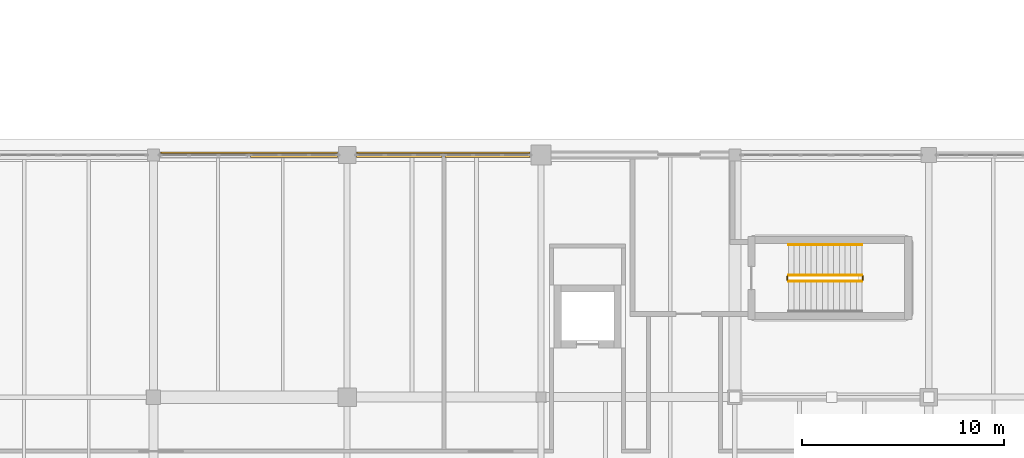
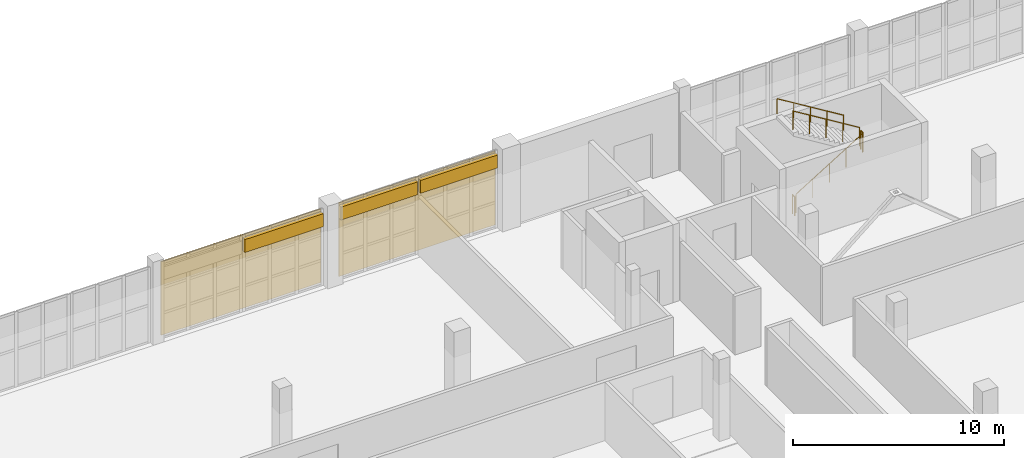
# One storey, part 113 of 121: 5 railings, 3 coverings, 2 shading devices.
"""IFC4 building model written with IfcOpenShell, lengths in metres."""

from ifc_helpers import new_model, si_unit, direction, frame, origin, origin_2d, place, context, subcontext, project, spatial, polyline, rectangle, circle, outline, extrude, material, layer, layer_set, type_object, element, save


model = new_model("IFC4")

# Units and contexts
model_context = context("Model", 3, precision=1e-05, world=origin(), true_north=direction((0.0, 1.0)))
body_context = subcontext(model_context, "Body", "Model", "MODEL_VIEW")
ifc_project = project(units=[si_unit("LENGTHUNIT", "METRE"), si_unit("AREAUNIT", "SQUARE_METRE"), si_unit("VOLUMEUNIT", "CUBIC_METRE"), si_unit("PLANEANGLEUNIT", "RADIAN"), si_unit("MASSUNIT", "GRAM", prefix="KILO")], contexts=[model_context])

# Site, building, storey
site_placement = place(None, origin())
site = spatial("IfcSite", under=ifc_project, at=site_placement, CompositionType="ELEMENT")
building_placement = place(site_placement, origin())
building = spatial("IfcBuilding", under=site, at=building_placement, Name="Zereglee Splitstone Museum", CompositionType="ELEMENT")
storey_placement = place(building_placement, origin())
storey = spatial("IfcBuildingStorey", under=building, at=storey_placement, Name="L00", CompositionType="ELEMENT", Elevation=0.0)

# Coverings
ifc_material_1 = material(Name="Honed Gobi pale limestone stringcourse and soffit cladding", Category="masonry")
ifc_layer_1 = layer(ifc_material_1, 0.070068359375)
ifc_layer_set_1 = layer_set([ifc_layer_1], Name="Honed Gobi pale limestone stringcourse and soffit cladding")
covering_type = type_object("IfcCoveringType", Name="CL-02", PredefinedType="CLADDING", material=ifc_layer_set_1)
for number, where, z_axis, x_axis, name in (
    (1, (113.747314453125, 50.39990234375, 3.52490234375), (0.0, 0.0, 1.0), (-1.0, 0.0, 0.0), "Mughal Carved Clerestory Jaali Frieze RC4-CW-L00-060-1"),
    (2, (109.377685546875, 50.39990234375, 3.5048828125), (0.0, 0.0, 1.0), (-1.0, 0.0, 0.0), "Mughal Carved Clerestory Jaali Frieze RC4-CW-L00-060-2"),
):
    element("IfcCovering", number, at=place(storey_placement, frame(where, z_axis=z_axis, x_axis=x_axis)), inside=storey, type_object=covering_type, Name=name, PredefinedType="CLADDING", context=body_context, shape_type="SweptSolid", body=[
        extrude(rectangle(XDim=4.2099609375, YDim=0.239990234375, at=origin_2d()), origin(), (0.0, 0.0, 1.0), 0.75),
    ])
covering_placement = place(storey_placement, frame((104.17236328125, 50.39990234375, 3.465087890625), z_axis=(0.0, 0.0, 1.0), x_axis=(-1.0, 0.0, 0.0)))
element("IfcCovering", 3, at=covering_placement, inside=storey, type_object=covering_type, Name="Mughal Carved Clerestory Jaali Frieze RC4-CW-L00-061-1", PredefinedType="CLADDING", context=body_context, shape_type="SweptSolid", body=[
    extrude(rectangle(XDim=4.31005859375, YDim=0.239990234375, at=origin_2d()), origin(), (0.0, 0.0, 1.0), 0.75),
])

# Railings
ifc_material_2 = material(Name="Painted steel S355J2 post-and-baluster guard", Category="steel")
railing_type_1 = type_object("IfcRailingType", Name="GR-03", PredefinedType="BALUSTRADE", material=ifc_material_2)
railing_1_placement = place(storey_placement, frame((128.64990234375, 44.14990234375, 0.17138671875)))
element("IfcRailing", 4, at=railing_1_placement, inside=storey, type_object=railing_type_1, Name="L00 ST-03 stair guard 1", PredefinedType="BALUSTRADE", context=body_context, shape_type="SweptSolid", body=[
    extrude(circle(Radius=0.02392578125, at=origin_2d()), frame((0.0, 0.0, 1.076416015625), z_axis=(0.852865859571, 0.0, 0.52213008492), x_axis=(0.0, 1.0, 0.0)), (0.0, 0.0, 1.0), 4.26806640625),
    extrude(circle(Radius=0.02099609375, at=origin_2d()), origin(), (0.0, 0.0, 1.0), 1.052001953125),
    extrude(circle(Radius=0.02099609375, at=origin_2d()), frame((0.91015625, 0.0, 0.55712890625)), (0.0, 0.0, 1.0), 1.052001953125),
    extrude(circle(Radius=0.02099609375, at=origin_2d()), frame((1.820068359375, 0.0, 1.1142578125)), (0.0, 0.0, 1.0), 1.052001953125),
    extrude(circle(Radius=0.02099609375, at=origin_2d()), frame((2.72998046875, 0.0, 1.67138671875)), (0.0, 0.0, 1.0), 1.052001953125),
    extrude(circle(Radius=0.02099609375, at=origin_2d()), frame((3.64013671875, 0.0, 2.228515625)), (0.0, 0.0, 1.0), 1.052001953125),
])
railing_2_placement = place(storey_placement, frame((132.340087890625, 44.199951171875, 2.39990234375)))
element("IfcRailing", 5, at=railing_2_placement, inside=storey, type_object=railing_type_1, Name="L00 ST-03 stair guard 2", PredefinedType="BALUSTRADE", context=body_context, shape_type="SweptSolid", body=[
    extrude(circle(Radius=0.02392578125, at=origin_2d()), frame((0.0, 0.0, 1.076416015625), z_axis=(0.0, 1.0, 0.0), x_axis=(-1.0, 0.0, 0.0)), (0.0, 0.0, 1.0), 0.199951171875),
    extrude(circle(Radius=0.02099609375, at=origin_2d()), origin(), (0.0, 0.0, 1.0), 1.052001953125),
    extrude(circle(Radius=0.02099609375, at=origin_2d()), frame((0.0, 0.199951171875, 0.0)), (0.0, 0.0, 1.0), 1.052001953125),
])
railing_3_placement = place(storey_placement, frame((132.2900390625, 44.449951171875, 2.571533203125)))
element("IfcRailing", 6, at=railing_3_placement, inside=storey, type_object=railing_type_1, Name="L00 ST-03 stair guard 3", PredefinedType="BALUSTRADE", context=body_context, shape_type="SweptSolid", body=[
    extrude(circle(Radius=0.02392578125, at=origin_2d()), frame((0.0, 0.0, 1.076416015625), z_axis=(-0.852865859571, 0.0, 0.52213008492), x_axis=(0.0, -1.0, 0.0)), (0.0, 0.0, 1.0), 4.26806640625),
    extrude(circle(Radius=0.02099609375, at=origin_2d()), origin(), (0.0, 0.0, 1.0), 1.052001953125),
    extrude(circle(Radius=0.02099609375, at=origin_2d()), frame((-0.91015625, 0.0, 0.55712890625)), (0.0, 0.0, 1.0), 1.052001953125),
    extrude(circle(Radius=0.02099609375, at=origin_2d()), frame((-1.820068359375, 0.0, 1.1142578125)), (0.0, 0.0, 1.0), 1.052001953125),
    extrude(circle(Radius=0.02099609375, at=origin_2d()), frame((-2.72998046875, 0.0, 1.67138671875)), (0.0, 0.0, 1.0), 1.052001953125),
    extrude(circle(Radius=0.02099609375, at=origin_2d()), frame((-3.64013671875, 0.0, 2.228515625)), (0.0, 0.0, 1.0), 1.052001953125),
])
railing_4_placement = place(storey_placement, frame((128.60009765625, 44.199951171875, 0.0)))
element("IfcRailing", 7, at=railing_4_placement, inside=storey, type_object=railing_type_1, Name="L00 ST-03 stair guard 4", PredefinedType="BALUSTRADE", context=body_context, shape_type="SweptSolid", body=[
    extrude(circle(Radius=0.02392578125, at=origin_2d()), frame((0.0, 0.0, 1.076416015625), z_axis=(0.0, 1.0, 0.0), x_axis=(-1.0, 0.0, 0.0)), (0.0, 0.0, 1.0), 0.199951171875),
    extrude(circle(Radius=0.02099609375, at=origin_2d()), origin(), (0.0, 0.0, 1.0), 1.052001953125),
    extrude(circle(Radius=0.02099609375, at=origin_2d()), frame((0.0, 0.199951171875, 0.0)), (0.0, 0.0, 1.0), 1.052001953125),
])
ifc_material_3 = material(Name="Architectural bronze tubular handrail", Category="steel")
railing_type_2 = type_object("IfcRailingType", Name="HR-01", PredefinedType="HANDRAIL", material=ifc_material_3)
railing_5_placement = place(storey_placement, frame((132.2900390625, 45.949951171875, 2.571533203125)))
element("IfcRailing", 8, at=railing_5_placement, inside=storey, type_object=railing_type_2, Name="L00 ST-03 stair handrail 2", PredefinedType="HANDRAIL", context=body_context, shape_type="SweptSolid", body=[
    extrude(circle(Radius=0.02392578125, at=origin_2d()), frame((0.0, 0.0, 0.8759765625), z_axis=(-0.852865859571, 0.0, 0.52213008492), x_axis=(0.0, -1.0, 0.0)), (0.0, 0.0, 1.0), 4.26806640625),
    extrude(circle(Radius=0.02099609375, at=origin_2d()), origin(), (0.0, 0.0, 1.0), 0.851806640625),
    extrude(circle(Radius=0.02099609375, at=origin_2d()), frame((-0.91015625, 0.0, 0.55712890625)), (0.0, 0.0, 1.0), 0.851806640625),
    extrude(circle(Radius=0.02099609375, at=origin_2d()), frame((-1.820068359375, 0.0, 1.1142578125)), (0.0, 0.0, 1.0), 0.851806640625),
    extrude(circle(Radius=0.02099609375, at=origin_2d()), frame((-2.72998046875, 0.0, 1.67138671875)), (0.0, 0.0, 1.0), 0.851806640625),
    extrude(circle(Radius=0.02099609375, at=origin_2d()), frame((-3.64013671875, 0.0, 2.228515625)), (0.0, 0.0, 1.0), 0.851806640625),
])

# Shading devices
ifc_material_4 = material(Name="Patinated architectural bronze CuSn8 geometric jali screen")
ifc_layer_2 = layer(ifc_material_4, 0.06005859375)
ifc_layer_set_2 = layer_set([ifc_layer_2], Name="Patinated architectural bronze CuSn8 geometric jali screen")
shading_device_type = type_object("IfcShadingDeviceType", Name="JL-01", PredefinedType="USERDEFINED", material=ifc_layer_set_2)
shading_device_1_placement = place(storey_placement, frame((115.842041015625, 50.47998046875, 0.1201171875), z_axis=(0.0, 1.0, 0.0), x_axis=(-1.0, 0.0, 0.0)))
element("IfcShadingDevice", 9, at=shading_device_1_placement, inside=storey, type_object=shading_device_type, Name="Bronze Mughal Jali Screen 05", ObjectType="SCREEN", PredefinedType="USERDEFINED", context=body_context, shape_type="SweptSolid", body=[
    extrude(outline(polyline([(0.0, 0.0), (8.55908203125, 0.0), (8.55908203125, 4.259765625), (0.0, 4.259765625), (0.0, 0.0)])), origin(), (0.0, 0.0, 1.0), 0.06005859375),
])
shading_device_2_placement = place(storey_placement, frame((106.31689453125, 50.47998046875, 0.1201171875), z_axis=(0.0, 1.0, 0.0), x_axis=(-1.0, 0.0, 0.0)))
element("IfcShadingDevice", 10, at=shading_device_2_placement, inside=storey, type_object=shading_device_type, Name="Bronze Mughal Jali Screen 06", ObjectType="SCREEN", PredefinedType="USERDEFINED", context=body_context, shape_type="SweptSolid", body=[
    extrude(outline(polyline([(0.0, 0.0), (8.7587890625, 0.0), (8.7587890625, 4.259765625), (0.0, 4.259765625), (0.0, 0.0)])), origin(), (0.0, 0.0, 1.0), 0.06005859375),
])

save(model, "model.ifc")
